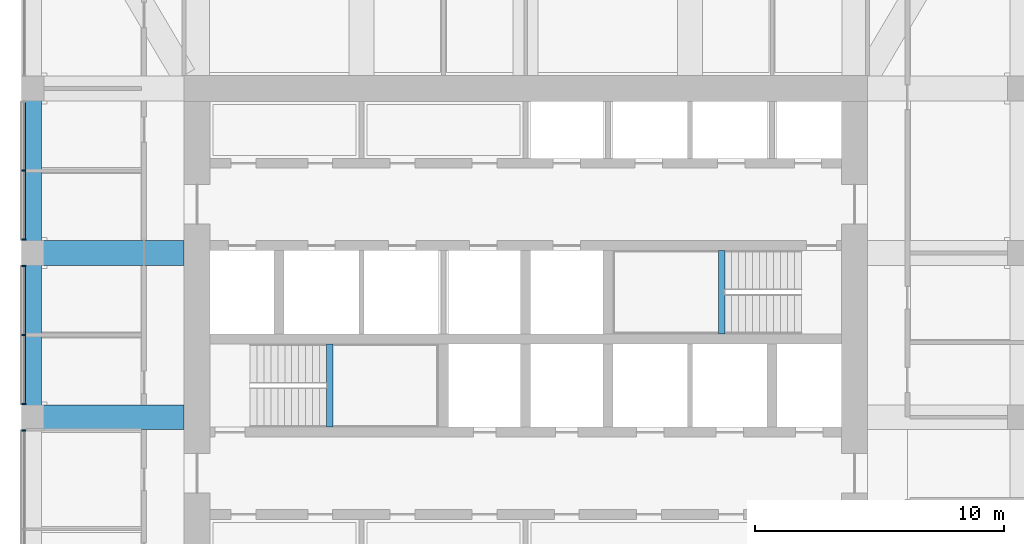
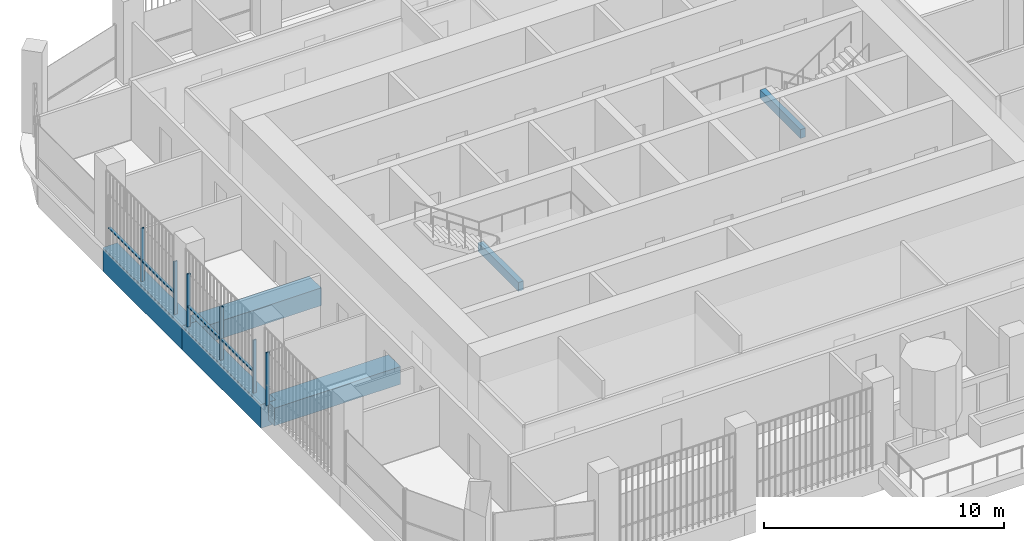
# One storey, part 4 of 21: 10 members, 6 beams, 3 elements without a shape of their own.
"""IFC4 building model written with IfcOpenShell, lengths in metres."""

from ifc_helpers import new_model, si_unit, direction, frame, origin, origin_2d, place, context, subcontext, project, spatial, rectangle, extrude, material, material_profile, profile_set, type_object, element, aggregate, save


model = new_model("IFC4")

# Units and contexts
model_context = context("Model", 3, precision=1e-05, world=origin(), true_north=direction((0.0, 1.0)))
body_context = subcontext(model_context, "Body", "Model", "MODEL_VIEW")
ifc_project = project(units=[si_unit("LENGTHUNIT", "METRE"), si_unit("AREAUNIT", "SQUARE_METRE"), si_unit("VOLUMEUNIT", "CUBIC_METRE"), si_unit("PLANEANGLEUNIT", "RADIAN"), si_unit("MASSUNIT", "GRAM", prefix="KILO")], contexts=[model_context])

# Site, building, storey
site_placement = place(None, origin())
site = spatial("IfcSite", under=ifc_project, at=site_placement, CompositionType="ELEMENT")
building_placement = place(site_placement, origin())
building = spatial("IfcBuilding", under=site, at=building_placement, Name="Cobogo Forest Laboratory Tower", CompositionType="ELEMENT")
storey_placement = place(building_placement, frame((0.0, 0.0, 267.0)))
storey = spatial("IfcBuildingStorey", under=building, at=storey_placement, Name="L61", CompositionType="ELEMENT", Elevation=267.0)

# Beams
ifc_material_1 = material(Name="Concrete HA-40 (C40/50)", Category="concrete")
ifc_material_profile_1 = material_profile(ifc_material_1, rectangle(XDim=0.25, YDim=0.449951171875, at=origin_2d()), Name="RC 250x450")
ifc_profile_set_1 = profile_set([ifc_material_profile_1], Name="Concrete HA-40 (C40/50)")
beam_type_1 = type_object("IfcBeamType", Name="LB1 landing beam 250x450", PredefinedType="BEAM", material=ifc_profile_set_1)
for number, where, z_axis, x_axis, name in (
    (1, (18.530029296875, 19.39990234375, 1.675048828125), (0.0, 1.0, 0.0), (-1.0, 0.0, 0.0), "Landing beam ST1 L61"),
    (2, (34.27001953125, 23.14990234375, 1.675048828125), (0.0, 1.0, 0.0), (-1.0, 0.0, 0.0), "Landing beam ST2 L61"),
):
    element("IfcBeam", number, at=place(storey_placement, frame(where, z_axis=z_axis, x_axis=x_axis)), inside=storey, type_object=beam_type_1, Name=name, PredefinedType="BEAM", context=body_context, shape_type="SweptSolid", body=[
        extrude(rectangle(XDim=0.25, YDim=0.449951171875, at=origin_2d()), origin(), (0.0, 0.0, 1.0), 3.35009765625),
    ])

# Curtain wall, members
ifc_material_2 = material(Name="Aluminium curtain wall", Category="aluminium")
curtain_wall_type = type_object("IfcCurtainWallType", Name="CW-2 unitised curtain wall, solar control glazing, laboratory floors zones C and D", PredefinedType="USERDEFINED", material=ifc_material_2)
curtain_wall_1_placement = place(storey_placement, origin())
curtain_wall_1 = element("IfcCurtainWall", 3, at=curtain_wall_1_placement, inside=storey, type_object=curtain_wall_type, Name="Curtain wall 21 L61", ObjectType="UNITISED CURTAIN WALL", PredefinedType="USERDEFINED")
ifc_material_3 = material(Name="Aluminium mullion", Category="aluminium")
ifc_material_profile_2 = material_profile(ifc_material_3, rectangle(XDim=0.06005859375, YDim=0.159912109375, at=origin_2d()), Name="AL 60x160")
ifc_profile_set_2 = profile_set([ifc_material_profile_2], Name="Aluminium mullion")
member_type_1 = type_object("IfcMemberType", Name="MU-1 aluminium mullion 60x160", PredefinedType="MULLION", material=ifc_profile_set_2)
member_1_placement = place(storey_placement, frame((6.25, 29.699951171875, 0.0), z_axis=(0.0, 0.0, 1.0), x_axis=(0.0, -1.0, 0.0)))
member_1 = element("IfcMember", 4, at=member_1_placement, type_object=member_type_1, Name="CW-2 mullion 2", PredefinedType="MULLION", context=body_context, shape_type="SweptSolid", body=[
    extrude(rectangle(XDim=0.06005859375, YDim=0.159912109375, at=origin_2d()), origin(), (0.0, 0.0, 1.0), 2.699951171875),
])
member_2_placement = place(storey_placement, frame((6.25, 26.929931640625, 0.0), z_axis=(0.0, 0.0, 1.0), x_axis=(0.0, -1.0, 0.0)))
member_2 = element("IfcMember", 5, at=member_2_placement, type_object=member_type_1, Name="CW-2 mullion 3", PredefinedType="MULLION", context=body_context, shape_type="SweptSolid", body=[
    extrude(rectangle(XDim=0.06005859375, YDim=0.159912109375, at=origin_2d()), origin(), (0.0, 0.0, 1.0), 2.699951171875),
])

curtain_wall_2_placement = place(storey_placement, origin())
curtain_wall_2 = element("IfcCurtainWall", 6, at=curtain_wall_2_placement, inside=storey, type_object=curtain_wall_type, Name="Curtain wall 22 L61", ObjectType="UNITISED CURTAIN WALL", PredefinedType="USERDEFINED")
member_3_placement = place(storey_placement, frame((6.25, 25.8701171875, 0.0), z_axis=(0.0, 0.0, 1.0), x_axis=(0.0, -1.0, 0.0)))
member_3 = element("IfcMember", 7, at=member_3_placement, type_object=member_type_1, Name="CW-2 mullion 1", PredefinedType="MULLION", context=body_context, shape_type="SweptSolid", body=[
    extrude(rectangle(XDim=0.06005859375, YDim=0.159912109375, at=origin_2d()), origin(), (0.0, 0.0, 1.0), 2.699951171875),
])
member_4_placement = place(storey_placement, frame((6.25, 23.10009765625, 0.0), z_axis=(0.0, 0.0, 1.0), x_axis=(0.0, -1.0, 0.0)))
member_4 = element("IfcMember", 8, at=member_4_placement, type_object=member_type_1, Name="CW-2 mullion 2", PredefinedType="MULLION", context=body_context, shape_type="SweptSolid", body=[
    extrude(rectangle(XDim=0.06005859375, YDim=0.159912109375, at=origin_2d()), origin(), (0.0, 0.0, 1.0), 2.699951171875),
])
member_5_placement = place(storey_placement, frame((6.25, 20.330078125, 0.0), z_axis=(0.0, 0.0, 1.0), x_axis=(0.0, -1.0, 0.0)))
member_5 = element("IfcMember", 9, at=member_5_placement, type_object=member_type_1, Name="CW-2 mullion 3", PredefinedType="MULLION", context=body_context, shape_type="SweptSolid", body=[
    extrude(rectangle(XDim=0.06005859375, YDim=0.159912109375, at=origin_2d()), origin(), (0.0, 0.0, 1.0), 2.699951171875),
])

# Curtain wall, member
curtain_wall_3_placement = place(storey_placement, origin())
curtain_wall_3 = element("IfcCurtainWall", 10, at=curtain_wall_3_placement, inside=storey, type_object=curtain_wall_type, Name="Curtain wall 23 L61", ObjectType="UNITISED CURTAIN WALL", PredefinedType="USERDEFINED")
member_6_placement = place(storey_placement, frame((6.25, 19.27001953125, 0.0), z_axis=(0.0, 0.0, 1.0), x_axis=(0.0, -1.0, 0.0)))
member_6 = element("IfcMember", 11, at=member_6_placement, type_object=member_type_1, Name="CW-2 mullion 1", PredefinedType="MULLION", context=body_context, shape_type="SweptSolid", body=[
    extrude(rectangle(XDim=0.06005859375, YDim=0.159912109375, at=origin_2d()), origin(), (0.0, 0.0, 1.0), 2.699951171875),
])
aggregate(curtain_wall_3, [member_6])

# Beams
ifc_material_profile_3 = material_profile(ifc_material_1, rectangle(XDim=1.0, YDim=0.89990234375, at=origin_2d()), Name="RC 1000x900")
ifc_profile_set_3 = profile_set([ifc_material_profile_3], Name="Concrete HA-40 (C40/50)")
beam_type_2 = type_object("IfcBeamType", Name="Office floor wide beam 1000x900", PredefinedType="BEAM", material=ifc_profile_set_3)
for number, where, z_axis, x_axis, name in (
    (12, (12.675048828125, 19.800048828125, -0.75), (-1.0, 0.0, 0.0), (0.0, -1.0, 0.0), "RB2 R-D-W L61"),
    (13, (12.675048828125, 26.39990234375, -0.75), (-1.0, 0.0, 0.0), (0.0, -1.0, 0.0), "RB2 R-E-W L61"),
):
    element("IfcBeam", number, at=place(storey_placement, frame(where, z_axis=z_axis, x_axis=x_axis)), inside=storey, type_object=beam_type_2, Name=name, PredefinedType="BEAM", context=body_context, shape_type="SweptSolid", body=[
        extrude(rectangle(XDim=1.0, YDim=0.89990234375, at=origin_2d()), origin(), (0.0, 0.0, 1.0), 6.074951171875),
    ])
ifc_material_profile_4 = material_profile(ifc_material_1, rectangle(XDim=0.699951171875, YDim=1.199951171875, at=origin_2d()), Name="RC 700x1200")
ifc_profile_set_4 = profile_set([ifc_material_profile_4], Name="Concrete HA-40 (C40/50)")
beam_type_3 = type_object("IfcBeamType", Name="Perimeter edge beam 700x1200", PredefinedType="BEAM", material=ifc_profile_set_4)
beam_1_placement = place(storey_placement, frame((6.60009765625, 19.800048828125, -0.89990234375), z_axis=(0.0, 1.0, 0.0), x_axis=(-1.0, 0.0, 0.0)))
element("IfcBeam", 14, at=beam_1_placement, inside=storey, type_object=beam_type_3, Name="EB1 E-W2 L61", PredefinedType="BEAM", context=body_context, shape_type="SweptSolid", body=[
    extrude(rectangle(XDim=0.699951171875, YDim=1.199951171875, at=origin_2d()), origin(), (0.0, 0.0, 1.0), 6.599853515625),
])
beam_2_placement = place(storey_placement, frame((6.60009765625, 26.39990234375, -0.89990234375), z_axis=(0.0, 1.0, 0.0), x_axis=(-1.0, 0.0, 0.0)))
element("IfcBeam", 15, at=beam_2_placement, inside=storey, type_object=beam_type_3, Name="EB1 E-W3 L61", PredefinedType="BEAM", context=body_context, shape_type="SweptSolid", body=[
    extrude(rectangle(XDim=0.699951171875, YDim=1.199951171875, at=origin_2d()), origin(), (0.0, 0.0, 1.0), 6.60009765625),
])

# Member
ifc_material_4 = material(Name="Aluminium transom", Category="aluminium")
ifc_material_profile_5 = material_profile(ifc_material_4, rectangle(XDim=0.1201171875, YDim=0.06005859375, at=origin_2d()), Name="AL 60x120")
ifc_profile_set_5 = profile_set([ifc_material_profile_5], Name="Aluminium transom")
member_type_2 = type_object("IfcMemberType", Name="TR-1 aluminium transom 60x120", PredefinedType="USERDEFINED", material=ifc_profile_set_5)
member_7_placement = place(storey_placement, frame((6.25, 32.43994140625, 1.050048828125), z_axis=(0.0, -1.0, 0.0), x_axis=(1.0, 0.0, 0.0)))
member_7 = element("IfcMember", 16, at=member_7_placement, type_object=member_type_2, Name="CW-2 transom 1.1", ObjectType="TRANSOM", PredefinedType="USERDEFINED", context=body_context, shape_type="SweptSolid", body=[
    extrude(rectangle(XDim=0.1201171875, YDim=0.06005859375, at=origin_2d()), origin(), (0.0, 0.0, 1.0), 2.7099609375),
])

member_8_placement = place(storey_placement, frame((6.25, 29.669921875, 1.050048828125), z_axis=(0.0, -1.0, 0.0), x_axis=(1.0, 0.0, 0.0)))
member_8 = element("IfcMember", 17, at=member_8_placement, type_object=member_type_2, Name="CW-2 transom 2.1", ObjectType="TRANSOM", PredefinedType="USERDEFINED", context=body_context, shape_type="SweptSolid", body=[
    extrude(rectangle(XDim=0.1201171875, YDim=0.06005859375, at=origin_2d()), origin(), (0.0, 0.0, 1.0), 2.7099609375),
])

aggregate(curtain_wall_1, [member_1, member_2, member_7, member_8])

member_9_placement = place(storey_placement, frame((6.25, 25.840087890625, 1.050048828125), z_axis=(0.0, -1.0, 0.0), x_axis=(1.0, 0.0, 0.0)))
member_9 = element("IfcMember", 18, at=member_9_placement, type_object=member_type_2, Name="CW-2 transom 1.1", ObjectType="TRANSOM", PredefinedType="USERDEFINED", context=body_context, shape_type="SweptSolid", body=[
    extrude(rectangle(XDim=0.1201171875, YDim=0.06005859375, at=origin_2d()), origin(), (0.0, 0.0, 1.0), 2.710205078125),
])

member_10_placement = place(storey_placement, frame((6.25, 23.070068359375, 1.050048828125), z_axis=(0.0, -1.0, 0.0), x_axis=(1.0, 0.0, 0.0)))
member_10 = element("IfcMember", 19, at=member_10_placement, type_object=member_type_2, Name="CW-2 transom 2.1", ObjectType="TRANSOM", PredefinedType="USERDEFINED", context=body_context, shape_type="SweptSolid", body=[
    extrude(rectangle(XDim=0.1201171875, YDim=0.06005859375, at=origin_2d()), origin(), (0.0, 0.0, 1.0), 2.7099609375),
])

aggregate(curtain_wall_2, [member_3, member_4, member_5, member_9, member_10])

save(model, "model.ifc")
